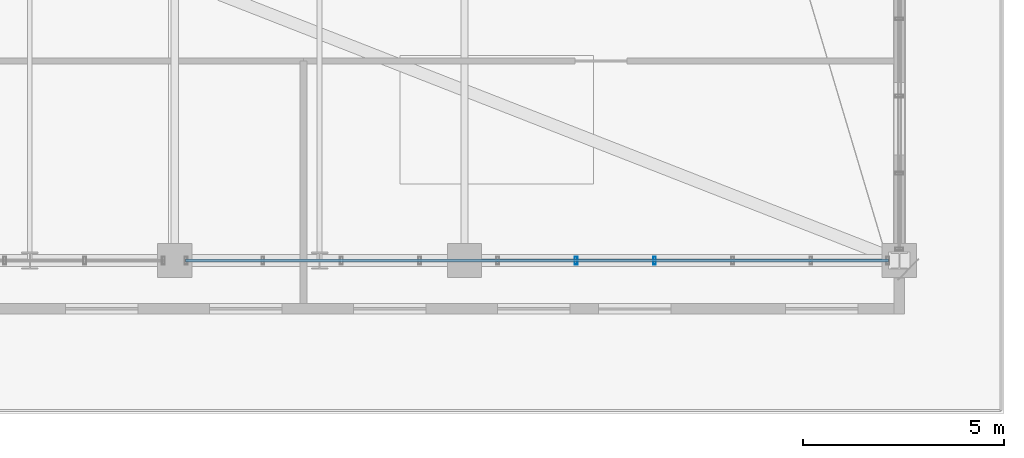
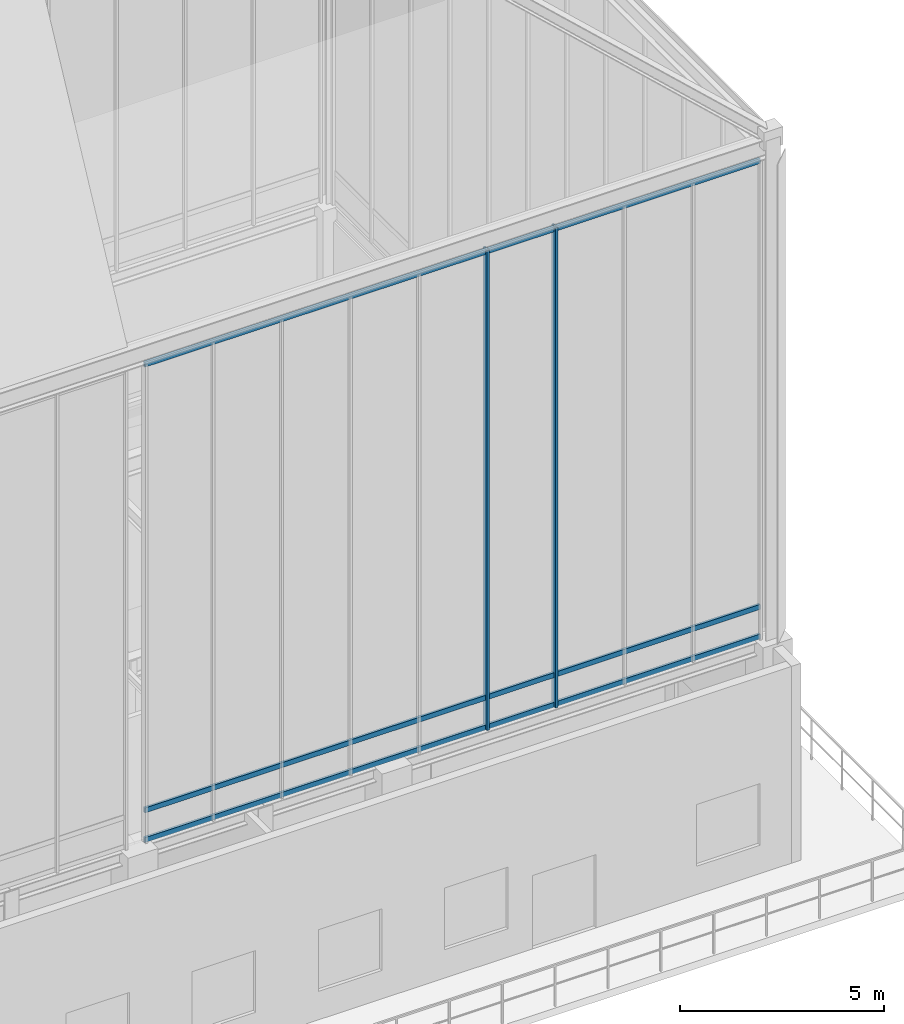
# One storey, part 29 of 49: 5 members, 1 element without a shape of its own.
"""IFC4 building model written with IfcOpenShell, lengths in metres."""

from ifc_helpers import new_model, si_unit, direction, frame, origin, origin_2d, place, context, subcontext, project, spatial, hollow_rectangle, extrude, source, transform, mapped, material, layer, layer_set, material_profile, profile_set, type_object, element, aggregate, save


model = new_model("IFC4")

# Units and contexts
model_context = context("Model", 3, precision=1e-05, world=origin(), true_north=direction((0.0, 1.0)))
body_context = subcontext(model_context, "Body", "Model", "MODEL_VIEW")
ifc_project = project(units=[si_unit("LENGTHUNIT", "METRE"), si_unit("AREAUNIT", "SQUARE_METRE"), si_unit("VOLUMEUNIT", "CUBIC_METRE"), si_unit("PLANEANGLEUNIT", "RADIAN"), si_unit("MASSUNIT", "GRAM", prefix="KILO")], contexts=[model_context])

# Site, building, storey
site_placement = place(None, origin())
site = spatial("IfcSite", under=ifc_project, at=site_placement, CompositionType="ELEMENT")
building_placement = place(site_placement, origin())
building = spatial("IfcBuilding", under=site, at=building_placement, Name="Kaliganga Portal Commons", CompositionType="ELEMENT")
storey_placement = place(building_placement, frame((0.0, 0.0, 298.0)))
storey = spatial("IfcBuildingStorey", under=building, at=storey_placement, Name="L77", CompositionType="ELEMENT", Elevation=298.0)

# Curtain wall, members
ifc_material_1 = material(Name="Anodized Aluminium and Laminated Low-E Glass", Category="aluminium")
ifc_layer = layer(ifc_material_1, 0.25)
ifc_layer_set = layer_set([ifc_layer], Name="Anodized Aluminium and Laminated Low-E Glass")
curtain_wall_type = type_object("IfcCurtainWallType", Name="CW-SYS-06", PredefinedType="NOTDEFINED", material=ifc_layer_set)
curtain_wall_placement = place(storey_placement, origin())
curtain_wall = element("IfcCurtainWall", 1, at=curtain_wall_placement, inside=storey, type_object=curtain_wall_type, Name="CW 06 L77 SE", PredefinedType="NOTDEFINED")
ifc_material_2 = material(Name="Dark Bronze Anodized Aluminium", Category="aluminium")
ifc_material_profile_1 = material_profile(ifc_material_2, hollow_rectangle(XDim=0.070068359375, YDim=0.199951171875, WallThickness=0.00390625, at=origin_2d()), Name="ALU MULL 70x200x4")
ifc_profile_set_1 = profile_set([ifc_material_profile_1], Name="Dark Bronze Anodized Aluminium")
member_type_1 = type_object("IfcMemberType", Name="CW-MUL-220", PredefinedType="MULLION", material=ifc_profile_set_1)
shared_shape_1 = source(origin(), body_context, "Body", "SweptSolid", [
    extrude(hollow_rectangle(XDim=0.070068359375, YDim=0.199951171875, WallThickness=0.00390625, at=origin_2d()), origin(), (0.0, 0.0, 1.0), 14.39990234375),
])
member_1_placement = place(storey_placement, frame((38.772216796875, 21.60009765625, 6.0), z_axis=(0.0, 0.0, 1.0), x_axis=(1.0, 0.0, 0.0)))
member_1 = element("IfcMember", 2, at=member_1_placement, type_object=member_type_1, Name="CW:06:L77:SE Mullion 05", PredefinedType="MULLION", context=body_context, shape_type="MappedRepresentation", body=[
    mapped(shared_shape_1, transform((0.0, 0.0, 0.0), x_axis=(1.0, 0.0, 0.0), y_axis=(0.0, 1.0, 0.0), z_axis=(0.0, 0.0, 1.0), scale=1.0)),
])
member_2_placement = place(storey_placement, frame((40.716796875, 21.60009765625, 6.0), z_axis=(0.0, 0.0, 1.0), x_axis=(1.0, 0.0, 0.0)))
member_2 = element("IfcMember", 3, at=member_2_placement, type_object=member_type_1, Name="CW:06:L77:SE Mullion 06", PredefinedType="MULLION", context=body_context, shape_type="MappedRepresentation", body=[
    mapped(shared_shape_1, transform((0.0, 0.0, 0.0), x_axis=(1.0, 0.0, 0.0), y_axis=(0.0, 1.0, 0.0), z_axis=(0.0, 0.0, 1.0), scale=1.0)),
])
ifc_material_profile_2 = material_profile(ifc_material_2, hollow_rectangle(XDim=0.070068359375, YDim=0.14990234375, WallThickness=0.00341796875, at=origin_2d()), Name="ALU TRAN 70x150x3.5")
ifc_profile_set_2 = profile_set([ifc_material_profile_2], Name="Dark Bronze Anodized Aluminium")
member_type_2 = type_object("IfcMemberType", Name="CW-TRN-150", PredefinedType="USERDEFINED", material=ifc_profile_set_2)
shared_shape_2 = source(origin(), body_context, "Body", "SweptSolid", [
    extrude(hollow_rectangle(XDim=0.070068359375, YDim=0.14990234375, WallThickness=0.00341796875, at=origin_2d()), origin(), (0.0, 0.0, 1.0), 17.4599609375),
])
member_3_placement = place(storey_placement, frame((29.070068359375, 21.60009765625, 6.06005859375), z_axis=(1.0, 0.0, 0.0), x_axis=(0.0, 1.0, 0.0)))
member_3 = element("IfcMember", 4, at=member_3_placement, type_object=member_type_2, Name="CW:06:L77:SE Transom 1", ObjectType="TRANSOM", PredefinedType="USERDEFINED", context=body_context, shape_type="MappedRepresentation", body=[
    mapped(shared_shape_2, transform((0.0, 0.0, 0.0), x_axis=(1.0, 0.0, 0.0), y_axis=(0.0, 1.0, 0.0), z_axis=(0.0, 0.0, 1.0), scale=1.0)),
])
member_4_placement = place(storey_placement, frame((29.070068359375, 21.60009765625, 6.949951171875), z_axis=(1.0, 0.0, 0.0), x_axis=(0.0, 1.0, 0.0)))
member_4 = element("IfcMember", 5, at=member_4_placement, type_object=member_type_2, Name="CW:06:L77:SE Transom 2", ObjectType="TRANSOM", PredefinedType="USERDEFINED", context=body_context, shape_type="MappedRepresentation", body=[
    mapped(shared_shape_2, transform((0.0, 0.0, 0.0), x_axis=(1.0, 0.0, 0.0), y_axis=(0.0, 1.0, 0.0), z_axis=(0.0, 0.0, 1.0), scale=1.0)),
])
member_5_placement = place(storey_placement, frame((29.070068359375, 21.60009765625, 20.320068359375), z_axis=(1.0, 0.0, 0.0), x_axis=(0.0, 1.0, 0.0)))
member_5 = element("IfcMember", 6, at=member_5_placement, type_object=member_type_2, Name="CW:06:L77:SE Transom 3", ObjectType="TRANSOM", PredefinedType="USERDEFINED", context=body_context, shape_type="MappedRepresentation", body=[
    mapped(shared_shape_2, transform((0.0, 0.0, 0.0), x_axis=(1.0, 0.0, 0.0), y_axis=(0.0, 1.0, 0.0), z_axis=(0.0, 0.0, 1.0), scale=1.0)),
])
aggregate(curtain_wall, [member_1, member_2, member_3, member_4, member_5])

save(model, "model.ifc")
